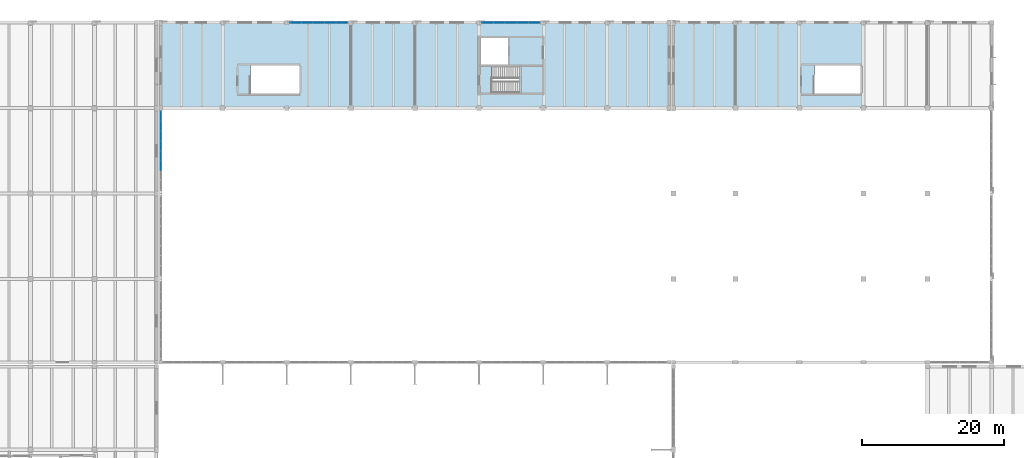
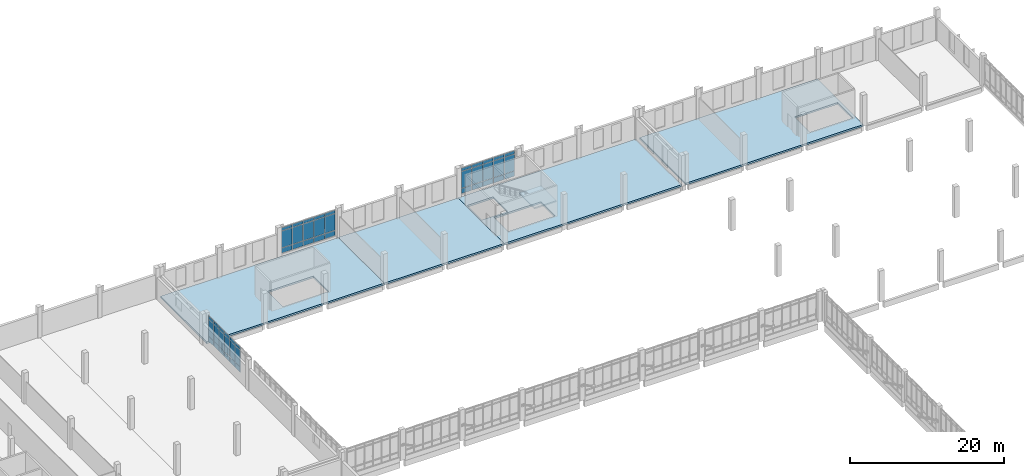
# One storey, part 69 of 110: 48 plates, 5 slabs, 4 elements without a shape of their own.
"""IFC4 building model written with IfcOpenShell, lengths in metres."""

import ifcopenshell
import ifcopenshell.guid

model = None  # the IFC model being written
_history = None  # IfcOwnerHistory: only IFC2X3 demands one
_inside = {}  # id of a spatial element -> (the spatial element, [elements in it])
_under = {}  # id of a project, library or spatial element -> (it, [spatial elements below it])
_declared = {}  # id of a project -> (the project, [libraries it declares])
_typed = {}  # id of a type object -> (the type object, [elements of that type])
_made_of = {}  # id of a material, layer set ... -> (it, [elements and type objects made of it])


def new_model(schema):
    """Start an empty IFC model of exactly this schema.

    Asked for "IFC4X3", IfcOpenShell would pick the latest addendum, in which some entities
    have other attributes; the version numbers below select the first issue.
    IFC2X3 requires an IfcOwnerHistory on every rooted entity: one is made here for all.
    """
    global model, _history
    if schema == "IFC4X3":
        model = ifcopenshell.file(schema_version=(4, 3, 0, 0))
    else:
        model = ifcopenshell.file(schema=schema)
    _inside.clear()
    _under.clear()
    _declared.clear()
    _typed.clear()
    _made_of.clear()
    _history = None
    if model.schema == "IFC2X3":
        org = make("IfcOrganization", Name="unknown")
        user = make(
            "IfcPersonAndOrganization",
            ThePerson=make("IfcPerson", FamilyName="unknown"),
            TheOrganization=org,
        )
        app = make(
            "IfcApplication",
            ApplicationDeveloper=org,
            Version="unknown",
            ApplicationFullName="unknown",
            ApplicationIdentifier="unknown",
        )
        _history = make(
            "IfcOwnerHistory",
            OwningUser=user,
            OwningApplication=app,
            ChangeAction="ADDED",
            CreationDate=0,
        )
    return model


def make(cls, **values):
    """One entity of the class cls with the attributes given. An attribute that is None is left unset."""
    return model.create_entity(
        cls, **{name: value for name, value in values.items() if value is not None}
    )


def rooted(cls, **values):
    """An entity with a GlobalId (a new one), such as an element, a storey or a relation."""
    return make(cls, GlobalId=ifcopenshell.guid.new(), OwnerHistory=_history, **values)


def si_unit(unit_type, name, prefix=None):
    """IfcSIUnit, for example si_unit("LENGTHUNIT", "METRE", prefix="MILLI")."""
    return make("IfcSIUnit", UnitType=unit_type, Prefix=prefix, Name=name)


def assignment(units):
    """IfcUnitAssignment: the units of a project."""
    return None if units is None else make("IfcUnitAssignment", Units=units)


def point(xyz):
    """IfcCartesianPoint."""
    return None if xyz is None else make("IfcCartesianPoint", Coordinates=xyz)


def direction(xyz):
    """IfcDirection."""
    return None if xyz is None else make("IfcDirection", DirectionRatios=xyz)


def frame(location, z_axis=None, x_axis=None):
    """IfcAxis2Placement3D, a coordinate frame: its origin and axes. An axis left out is left unset."""
    return make(
        "IfcAxis2Placement3D",
        Location=point(location),
        Axis=direction(z_axis),
        RefDirection=direction(x_axis),
    )


def frame_2d(location, x_axis=None):
    """IfcAxis2Placement2D, a coordinate frame in the plane: its origin and x axis."""
    return make(
        "IfcAxis2Placement2D", Location=point(location), RefDirection=direction(x_axis)
    )


def origin():
    """The frame at (0, 0, 0) with its axes left unset."""
    return frame((0.0, 0.0, 0.0))


def origin_2d():
    """The frame at (0, 0) in the plane with its x axis left unset."""
    return frame_2d((0.0, 0.0))


def place(relative_to, where):
    """IfcLocalPlacement: puts the frame where relative to a parent placement (None: the world)."""
    return make(
        "IfcLocalPlacement", PlacementRelTo=relative_to, RelativePlacement=where
    )


def context(
    kind, dimensions, precision=None, world=None, true_north=None, identifier=None
):
    """IfcGeometricRepresentationContext, for example the 3D "Model" context."""
    return make(
        "IfcGeometricRepresentationContext",
        ContextIdentifier=identifier,
        ContextType=kind,
        CoordinateSpaceDimension=dimensions,
        Precision=precision,
        WorldCoordinateSystem=world,
        TrueNorth=true_north,
    )


def subcontext(parent, identifier, kind, view, scale=None):
    """IfcGeometricRepresentationSubContext, for example "Body" below "Model"."""
    return make(
        "IfcGeometricRepresentationSubContext",
        ContextIdentifier=identifier,
        ContextType=kind,
        ParentContext=parent,
        TargetScale=scale,
        TargetView=view,
    )


def project(units=None, contexts=None):
    """IfcProject with its units and contexts."""
    return rooted(
        "IfcProject",
        Name="project",
        RepresentationContexts=contexts,
        UnitsInContext=assignment(units),
    )


def spatial(cls, under=None, at=None, **own):
    """A site, building, storey or space (cls), placed at a placement, below another one or the project."""
    s = rooted(cls, ObjectPlacement=at, **own)
    if under is not None:
        _under.setdefault(under.id(), (under, []))[1].append(s)
    return s


def polyline(points):
    """IfcPolyline through the points."""
    return make("IfcPolyline", Points=[point(p) for p in points])


def profile(cls, at=None, kind="AREA", **sizes):
    """A parametric profile (cls). Its sizes go by their IFC names, for example OverallWidth=200.0."""
    return make(cls, ProfileType=kind, Position=at, **sizes)


def rectangle(**sizes):
    """IfcRectangleProfileDef."""
    return profile("IfcRectangleProfileDef", **sizes)


def outline(outer, holes=None, kind="AREA"):
    """IfcArbitraryClosedProfileDef: a profile drawn as a closed curve; with holes, ...WithVoids."""
    if holes is None:
        return make("IfcArbitraryClosedProfileDef", ProfileType=kind, OuterCurve=outer)
    return make(
        "IfcArbitraryProfileDefWithVoids",
        ProfileType=kind,
        OuterCurve=outer,
        InnerCurves=holes,
    )


def extrude(swept, where, along, depth):
    """IfcExtrudedAreaSolid: the profile swept, set in the frame where, extruded along a direction by depth."""
    return make(
        "IfcExtrudedAreaSolid",
        SweptArea=swept,
        Position=where,
        ExtrudedDirection=direction(along),
        Depth=depth,
    )


def shape(context_of_items, identifier, shape_type, items):
    """IfcShapeRepresentation: the items that make up one representation, for example the "Body"."""
    return make(
        "IfcShapeRepresentation",
        ContextOfItems=context_of_items,
        RepresentationIdentifier=identifier,
        RepresentationType=shape_type,
        Items=items,
    )


def material(Name=None, Category=None):
    """IfcMaterial."""
    return make("IfcMaterial", Name=Name, Category=Category)


def layer(
    of_material, thickness, ventilated=None, Name=None, Category=None, Priority=None
):
    """IfcMaterialLayer: one layer of a wall or slab, of a material (None: an air gap)."""
    return make(
        "IfcMaterialLayer",
        Material=of_material,
        LayerThickness=thickness,
        IsVentilated=ventilated,
        Name=Name,
        Category=Category,
        Priority=Priority,
    )


def layer_set(layers, Name=None):
    """IfcMaterialLayerSet."""
    return make("IfcMaterialLayerSet", MaterialLayers=layers, LayerSetName=Name)


def made_of(thing, what):
    """Note that an element or type object is made of a material, layer set ...; save() writes the relation."""
    if what is not None:
        _made_of.setdefault(what.id(), (what, []))[1].append(thing)
    return thing


def type_object(cls, material=None, **own):
    """A type object (cls), such as IfcWallType, which elements share."""
    return made_of(rooted(cls, **own), material)


def element(
    cls,
    number,
    at=None,
    inside=None,
    cuts=None,
    type_object=None,
    material=None,
    context=None,
    identifier="Body",
    shape_type=None,
    held_by="IfcProductDefinitionShape",
    body=None,
    shapes=None,
    **own,
):
    """One element of the class cls, such as IfcWall. Its Tag is "e" and its number.

    at: its placement. inside: the storey or other place that contains it. cuts: it is an
    opening in that element (IfcRelVoidsElement). A single representation is given by context,
    identifier, shape_type and body (its items); several are given by shapes. held_by: the class
    of the entity that holds the representations. save() writes the other relations.
    """
    e = rooted(cls, Tag="e%d" % number, ObjectPlacement=at, **own)
    if body is not None:
        shapes = [shape(context, identifier, shape_type, body)]
    if shapes is not None:
        e.Representation = make(held_by, Representations=shapes)
    if inside is not None:
        _inside.setdefault(inside.id(), (inside, []))[1].append(e)
    if cuts is not None:
        rooted(
            "IfcRelVoidsElement", RelatingBuildingElement=cuts, RelatedOpeningElement=e
        )
    if type_object is not None:
        _typed.setdefault(type_object.id(), (type_object, []))[1].append(e)
    return made_of(e, material)


def aggregate(whole, parts):
    """IfcRelAggregates: a whole, such as a stair, and the parts it consists of."""
    return rooted("IfcRelAggregates", RelatingObject=whole, RelatedObjects=parts)


def save(model, path):
    """Write the relations noted so far, then the file.

    IfcRelAggregates (storeys below a building ...), IfcRelContainedInSpatialStructure (elements
    in a storey), IfcRelDefinesByType, IfcRelAssociatesMaterial and IfcRelDeclares: one each for
    every whole, place, type object, material and project.
    """
    for whole, parts in _under.values():
        aggregate(whole, parts)
    for where, things in _inside.values():
        rooted(
            "IfcRelContainedInSpatialStructure",
            RelatedElements=things,
            RelatingStructure=where,
        )
    for kind, things in _typed.values():
        rooted("IfcRelDefinesByType", RelatedObjects=things, RelatingType=kind)
    for what, things in _made_of.values():
        rooted("IfcRelAssociatesMaterial", RelatedObjects=things, RelatingMaterial=what)
    for by, libraries in _declared.values():
        rooted("IfcRelDeclares", RelatingContext=by, RelatedDefinitions=libraries)
    model.write(path)


model = new_model("IFC4")

# Units and contexts
model_context = context("Model", 3, precision=1e-05, world=origin(), true_north=direction((0.0, 1.0)))
body_context = subcontext(model_context, "Body", "Model", "MODEL_VIEW")
ifc_project = project(units=[si_unit("LENGTHUNIT", "METRE"), si_unit("AREAUNIT", "SQUARE_METRE"), si_unit("VOLUMEUNIT", "CUBIC_METRE"), si_unit("PLANEANGLEUNIT", "RADIAN"), si_unit("MASSUNIT", "GRAM", prefix="KILO")], contexts=[model_context])

# Site, building, storey
site_placement = place(None, origin())
site = spatial("IfcSite", under=ifc_project, at=site_placement, CompositionType="ELEMENT")
building_placement = place(site_placement, origin())
building = spatial("IfcBuilding", under=site, at=building_placement, Name="Zacnel Wholesale Market", CompositionType="ELEMENT")
storey_placement = place(building_placement, frame((0.0, 0.0, 6.300048828125)))
storey = spatial("IfcBuildingStorey", under=building, at=storey_placement, Name="L02", CompositionType="ELEMENT", Elevation=6.300048828125)

# Curtain wall, plates
ifc_material_1 = material(Name="Anodised aluminium", Category="aluminium")
ifc_layer_1 = layer(ifc_material_1, 0.159912109375)
ifc_layer_set_1 = layer_set([ifc_layer_1], Name="Anodised aluminium")
curtain_wall_type_1 = type_object("IfcCurtainWallType", Name="CW-COURT-4500", PredefinedType="NOTDEFINED", material=ifc_layer_set_1)
curtain_wall_1_placement = place(storey_placement, origin())
curtain_wall_1 = element("IfcCurtainWall", 1, at=curtain_wall_1_placement, inside=storey, type_object=curtain_wall_type_1, Name="Curtain wall ENV-R2-CW-L02-035", PredefinedType="NOTDEFINED")
ifc_material_2 = material(Name="Laminated hurricane-impact low-E insulated glass", Category="glass")
ifc_layer_2 = layer(ifc_material_2, 0.028076171875)
ifc_layer_set_2 = layer_set([ifc_layer_2], Name="Laminated hurricane-impact low-E insulated glass")
plate_type_1 = type_object("IfcPlateType", Name="CWP-PNL-01", PredefinedType="CURTAIN_PANEL", material=ifc_layer_set_2)
plate_1_placement = place(storey_placement, frame((91.260009765625, 144.0, 1.330078125), z_axis=(0.0, 0.0, 1.0), x_axis=(1.0, 0.0, 0.0)))
plate_1 = element("IfcPlate", 2, at=plate_1_placement, type_object=plate_type_1, Name="ENV-R2-CW-L02-035 panel 1-2", PredefinedType="CURTAIN_PANEL", context=body_context, shape_type="SweptSolid", body=[
    extrude(rectangle(XDim=1.550048828125, YDim=0.028076171875, at=origin_2d()), origin(), (0.0, 0.0, 1.0), 2.639892578125),
])
plate_2_placement = place(storey_placement, frame((92.8798828125, 144.0, 1.330078125), z_axis=(0.0, 0.0, 1.0), x_axis=(1.0, 0.0, 0.0)))
plate_2 = element("IfcPlate", 3, at=plate_2_placement, type_object=plate_type_1, Name="ENV-R2-CW-L02-035 panel 2-2", PredefinedType="CURTAIN_PANEL", context=body_context, shape_type="SweptSolid", body=[
    extrude(rectangle(XDim=1.550048828125, YDim=0.028076171875, at=origin_2d()), origin(), (0.0, 0.0, 1.0), 2.639892578125),
])
plate_3_placement = place(storey_placement, frame((94.5, 144.0, 1.330078125), z_axis=(0.0, 0.0, 1.0), x_axis=(1.0, 0.0, 0.0)))
plate_3 = element("IfcPlate", 4, at=plate_3_placement, type_object=plate_type_1, Name="ENV-R2-CW-L02-035 panel 3-2", PredefinedType="CURTAIN_PANEL", context=body_context, shape_type="SweptSolid", body=[
    extrude(rectangle(XDim=1.550048828125, YDim=0.028076171875, at=origin_2d()), origin(), (0.0, 0.0, 1.0), 2.639892578125),
])
plate_4_placement = place(storey_placement, frame((96.1201171875, 144.0, 1.330078125), z_axis=(0.0, 0.0, 1.0), x_axis=(1.0, 0.0, 0.0)))
plate_4 = element("IfcPlate", 5, at=plate_4_placement, type_object=plate_type_1, Name="ENV-R2-CW-L02-035 panel 4-2", PredefinedType="CURTAIN_PANEL", context=body_context, shape_type="SweptSolid", body=[
    extrude(rectangle(XDim=1.550048828125, YDim=0.028076171875, at=origin_2d()), origin(), (0.0, 0.0, 1.0), 2.639892578125),
])
plate_5_placement = place(storey_placement, frame((97.739990234375, 144.0, 1.330078125), z_axis=(0.0, 0.0, 1.0), x_axis=(1.0, 0.0, 0.0)))
plate_5 = element("IfcPlate", 6, at=plate_5_placement, type_object=plate_type_1, Name="ENV-R2-CW-L02-035 panel 5-2", PredefinedType="CURTAIN_PANEL", context=body_context, shape_type="SweptSolid", body=[
    extrude(rectangle(XDim=1.550048828125, YDim=0.028076171875, at=origin_2d()), origin(), (0.0, 0.0, 1.0), 2.639892578125),
])

curtain_wall_2_placement = place(storey_placement, origin())
curtain_wall_2 = element("IfcCurtainWall", 7, at=curtain_wall_2_placement, inside=storey, type_object=curtain_wall_type_1, Name="Curtain wall ENV-R2-CW-L02-036", PredefinedType="NOTDEFINED")
plate_6_placement = place(storey_placement, frame((118.260009765625, 144.0, 1.330078125), z_axis=(0.0, 0.0, 1.0), x_axis=(1.0, 0.0, 0.0)))
plate_6 = element("IfcPlate", 8, at=plate_6_placement, type_object=plate_type_1, Name="ENV-R2-CW-L02-036 panel 1-2", PredefinedType="CURTAIN_PANEL", context=body_context, shape_type="SweptSolid", body=[
    extrude(rectangle(XDim=1.550048828125, YDim=0.028076171875, at=origin_2d()), origin(), (0.0, 0.0, 1.0), 2.639892578125),
])
plate_7_placement = place(storey_placement, frame((119.8798828125, 144.0, 1.330078125), z_axis=(0.0, 0.0, 1.0), x_axis=(1.0, 0.0, 0.0)))
plate_7 = element("IfcPlate", 9, at=plate_7_placement, type_object=plate_type_1, Name="ENV-R2-CW-L02-036 panel 2-2", PredefinedType="CURTAIN_PANEL", context=body_context, shape_type="SweptSolid", body=[
    extrude(rectangle(XDim=1.550048828125, YDim=0.028076171875, at=origin_2d()), origin(), (0.0, 0.0, 1.0), 2.639892578125),
])
plate_8_placement = place(storey_placement, frame((121.5, 144.0, 1.330078125), z_axis=(0.0, 0.0, 1.0), x_axis=(1.0, 0.0, 0.0)))
plate_8 = element("IfcPlate", 10, at=plate_8_placement, type_object=plate_type_1, Name="ENV-R2-CW-L02-036 panel 3-2", PredefinedType="CURTAIN_PANEL", context=body_context, shape_type="SweptSolid", body=[
    extrude(rectangle(XDim=1.550048828125, YDim=0.028076171875, at=origin_2d()), origin(), (0.0, 0.0, 1.0), 2.639892578125),
])
plate_9_placement = place(storey_placement, frame((123.1201171875, 144.0, 1.330078125), z_axis=(0.0, 0.0, 1.0), x_axis=(1.0, 0.0, 0.0)))
plate_9 = element("IfcPlate", 11, at=plate_9_placement, type_object=plate_type_1, Name="ENV-R2-CW-L02-036 panel 4-2", PredefinedType="CURTAIN_PANEL", context=body_context, shape_type="SweptSolid", body=[
    extrude(rectangle(XDim=1.550048828125, YDim=0.028076171875, at=origin_2d()), origin(), (0.0, 0.0, 1.0), 2.639892578125),
])
plate_10_placement = place(storey_placement, frame((124.739990234375, 144.0, 1.330078125), z_axis=(0.0, 0.0, 1.0), x_axis=(1.0, 0.0, 0.0)))
plate_10 = element("IfcPlate", 12, at=plate_10_placement, type_object=plate_type_1, Name="ENV-R2-CW-L02-036 panel 5-2", PredefinedType="CURTAIN_PANEL", context=body_context, shape_type="SweptSolid", body=[
    extrude(rectangle(XDim=1.550048828125, YDim=0.028076171875, at=origin_2d()), origin(), (0.0, 0.0, 1.0), 2.639892578125),
])

ifc_material_3 = material(Name="Anodised aluminium", Category="aluminium")
ifc_layer_3 = layer(ifc_material_3, 0.159912109375)
ifc_layer_set_3 = layer_set([ifc_layer_3], Name="Anodised aluminium")
curtain_wall_type_2 = type_object("IfcCurtainWallType", Name="CW-NAVE-4200", PredefinedType="NOTDEFINED", material=ifc_layer_set_3)
curtain_wall_3_placement = place(storey_placement, origin())
curtain_wall_3 = element("IfcCurtainWall", 13, at=curtain_wall_3_placement, inside=storey, type_object=curtain_wall_type_2, Name="Curtain wall ENV-R2-CW-L02-031", PredefinedType="NOTDEFINED")
ifc_material_4 = material(Name="Laminated hurricane-impact low-E insulated glass", Category="glass")
ifc_layer_4 = layer(ifc_material_4, 0.031982421875)
ifc_layer_set_4 = layer_set([ifc_layer_4], Name="Laminated hurricane-impact low-E insulated glass")
plate_type_2 = type_object("IfcPlateType", Name="CWP-PNL-02", PredefinedType="CURTAIN_PANEL", material=ifc_layer_set_4)
plate_11_placement = place(storey_placement, frame((72.300048828125, 123.90478515625, 1.330078125), z_axis=(0.0, 0.0, 1.0), x_axis=(0.0, 1.0, 0.0)))
plate_11 = element("IfcPlate", 14, at=plate_11_placement, type_object=plate_type_2, Name="ENV-R2-CW-L02-031 panel 3-2", PredefinedType="CURTAIN_PANEL", context=body_context, shape_type="SweptSolid", body=[
    extrude(rectangle(XDim=1.31201171875, YDim=0.031982421875, at=origin_2d()), origin(), (0.0, 0.0, 1.0), 2.639892578125),
])
plate_12_placement = place(storey_placement, frame((72.300048828125, 125.28662109375, 1.330078125), z_axis=(0.0, 0.0, 1.0), x_axis=(0.0, 1.0, 0.0)))
plate_12 = element("IfcPlate", 15, at=plate_12_placement, type_object=plate_type_2, Name="ENV-R2-CW-L02-031 panel 4-2", PredefinedType="CURTAIN_PANEL", context=body_context, shape_type="SweptSolid", body=[
    extrude(rectangle(XDim=1.31201171875, YDim=0.031982421875, at=origin_2d()), origin(), (0.0, 0.0, 1.0), 2.639892578125),
])
plate_13_placement = place(storey_placement, frame((72.300048828125, 126.66845703125, 1.330078125), z_axis=(0.0, 0.0, 1.0), x_axis=(0.0, 1.0, 0.0)))
plate_13 = element("IfcPlate", 16, at=plate_13_placement, type_object=plate_type_2, Name="ENV-R2-CW-L02-031 panel 5-2", PredefinedType="CURTAIN_PANEL", context=body_context, shape_type="SweptSolid", body=[
    extrude(rectangle(XDim=1.31201171875, YDim=0.031982421875, at=origin_2d()), origin(), (0.0, 0.0, 1.0), 2.639892578125),
])
plate_14_placement = place(storey_placement, frame((72.300048828125, 128.05029296875, 1.330078125), z_axis=(0.0, 0.0, 1.0), x_axis=(0.0, 1.0, 0.0)))
plate_14 = element("IfcPlate", 17, at=plate_14_placement, type_object=plate_type_2, Name="ENV-R2-CW-L02-031 panel 6-2", PredefinedType="CURTAIN_PANEL", context=body_context, shape_type="SweptSolid", body=[
    extrude(rectangle(XDim=1.31201171875, YDim=0.031982421875, at=origin_2d()), origin(), (0.0, 0.0, 1.0), 2.639892578125),
])
plate_15_placement = place(storey_placement, frame((72.300048828125, 129.43212890625, 1.330078125), z_axis=(0.0, 0.0, 1.0), x_axis=(0.0, 1.0, 0.0)))
plate_15 = element("IfcPlate", 18, at=plate_15_placement, type_object=plate_type_2, Name="ENV-R2-CW-L02-031 panel 7-2", PredefinedType="CURTAIN_PANEL", context=body_context, shape_type="SweptSolid", body=[
    extrude(rectangle(XDim=1.31201171875, YDim=0.031982421875, at=origin_2d()), origin(), (0.0, 0.0, 1.0), 2.639892578125),
])
plate_16_placement = place(storey_placement, frame((72.300048828125, 130.814208984375, 1.330078125), z_axis=(0.0, 0.0, 1.0), x_axis=(0.0, 1.0, 0.0)))
plate_16 = element("IfcPlate", 19, at=plate_16_placement, type_object=plate_type_2, Name="ENV-R2-CW-L02-031 panel 8-2", PredefinedType="CURTAIN_PANEL", context=body_context, shape_type="SweptSolid", body=[
    extrude(rectangle(XDim=1.31201171875, YDim=0.031982421875, at=origin_2d()), origin(), (0.0, 0.0, 1.0), 2.639892578125),
])
ifc_material_5 = material(Name="Anodised aluminium", Category="aluminium")
ifc_layer_5 = layer(ifc_material_5, 0.0400390625)
ifc_layer_set_5 = layer_set([ifc_layer_5], Name="Anodised aluminium")
plate_type_3 = type_object("IfcPlateType", Name="CWP-PNL-05", PredefinedType="CURTAIN_PANEL", material=ifc_layer_set_5)
plate_17_placement = place(storey_placement, frame((72.300048828125, 123.90478515625, 0.47998046875), z_axis=(0.0, 0.0, 1.0), x_axis=(0.0, 1.0, 0.0)))
plate_17 = element("IfcPlate", 20, at=plate_17_placement, type_object=plate_type_3, Name="ENV-R2-CW-L02-031 panel 3-1", PredefinedType="CURTAIN_PANEL", context=body_context, shape_type="SweptSolid", body=[
    extrude(rectangle(XDim=1.31201171875, YDim=0.0400390625, at=origin_2d()), origin(), (0.0, 0.0, 1.0), 0.7900390625),
])
plate_18_placement = place(storey_placement, frame((72.300048828125, 123.90478515625, 4.02978515625), z_axis=(0.0, 0.0, 1.0), x_axis=(0.0, 1.0, 0.0)))
plate_18 = element("IfcPlate", 21, at=plate_18_placement, type_object=plate_type_3, Name="ENV-R2-CW-L02-031 panel 3-3", PredefinedType="CURTAIN_PANEL", context=body_context, shape_type="SweptSolid", body=[
    extrude(rectangle(XDim=1.31201171875, YDim=0.0400390625, at=origin_2d()), origin(), (0.0, 0.0, 1.0), 0.489990234375),
])
plate_19_placement = place(storey_placement, frame((72.300048828125, 126.66845703125, 0.47998046875), z_axis=(0.0, 0.0, 1.0), x_axis=(0.0, 1.0, 0.0)))
plate_19 = element("IfcPlate", 22, at=plate_19_placement, type_object=plate_type_3, Name="ENV-R2-CW-L02-031 panel 5-1", PredefinedType="CURTAIN_PANEL", context=body_context, shape_type="SweptSolid", body=[
    extrude(rectangle(XDim=1.31201171875, YDim=0.0400390625, at=origin_2d()), origin(), (0.0, 0.0, 1.0), 0.7900390625),
])
plate_20_placement = place(storey_placement, frame((72.300048828125, 126.66845703125, 4.02978515625), z_axis=(0.0, 0.0, 1.0), x_axis=(0.0, 1.0, 0.0)))
plate_20 = element("IfcPlate", 23, at=plate_20_placement, type_object=plate_type_3, Name="ENV-R2-CW-L02-031 panel 5-3", PredefinedType="CURTAIN_PANEL", context=body_context, shape_type="SweptSolid", body=[
    extrude(rectangle(XDim=1.31201171875, YDim=0.0400390625, at=origin_2d()), origin(), (0.0, 0.0, 1.0), 0.489990234375),
])
plate_21_placement = place(storey_placement, frame((72.300048828125, 129.43212890625, 0.47998046875), z_axis=(0.0, 0.0, 1.0), x_axis=(0.0, 1.0, 0.0)))
plate_21 = element("IfcPlate", 24, at=plate_21_placement, type_object=plate_type_3, Name="ENV-R2-CW-L02-031 panel 7-1", PredefinedType="CURTAIN_PANEL", context=body_context, shape_type="SweptSolid", body=[
    extrude(rectangle(XDim=1.31201171875, YDim=0.0400390625, at=origin_2d()), origin(), (0.0, 0.0, 1.0), 0.7900390625),
])
plate_22_placement = place(storey_placement, frame((72.300048828125, 129.43212890625, 4.02978515625), z_axis=(0.0, 0.0, 1.0), x_axis=(0.0, 1.0, 0.0)))
plate_22 = element("IfcPlate", 25, at=plate_22_placement, type_object=plate_type_3, Name="ENV-R2-CW-L02-031 panel 7-3", PredefinedType="CURTAIN_PANEL", context=body_context, shape_type="SweptSolid", body=[
    extrude(rectangle(XDim=1.31201171875, YDim=0.0400390625, at=origin_2d()), origin(), (0.0, 0.0, 1.0), 0.489990234375),
])

# Plate
plate_23_placement = place(storey_placement, frame((91.260009765625, 144.0, 0.47998046875), z_axis=(0.0, 0.0, 1.0), x_axis=(1.0, 0.0, 0.0)))
plate_23 = element("IfcPlate", 26, at=plate_23_placement, type_object=plate_type_3, Name="ENV-R2-CW-L02-035 panel 1-1", PredefinedType="CURTAIN_PANEL", context=body_context, shape_type="SweptSolid", body=[
    extrude(rectangle(XDim=1.550048828125, YDim=0.0400390625, at=origin_2d()), origin(), (0.0, 0.0, 1.0), 0.7900390625),
])

plate_24_placement = place(storey_placement, frame((91.260009765625, 144.0, 4.02978515625), z_axis=(0.0, 0.0, 1.0), x_axis=(1.0, 0.0, 0.0)))
plate_24 = element("IfcPlate", 27, at=plate_24_placement, type_object=plate_type_3, Name="ENV-R2-CW-L02-035 panel 1-3", PredefinedType="CURTAIN_PANEL", context=body_context, shape_type="SweptSolid", body=[
    extrude(rectangle(XDim=1.550048828125, YDim=0.0400390625, at=origin_2d()), origin(), (0.0, 0.0, 1.0), 0.489990234375),
])

plate_25_placement = place(storey_placement, frame((94.5, 144.0, 0.47998046875), z_axis=(0.0, 0.0, 1.0), x_axis=(1.0, 0.0, 0.0)))
plate_25 = element("IfcPlate", 28, at=plate_25_placement, type_object=plate_type_3, Name="ENV-R2-CW-L02-035 panel 3-1", PredefinedType="CURTAIN_PANEL", context=body_context, shape_type="SweptSolid", body=[
    extrude(rectangle(XDim=1.550048828125, YDim=0.0400390625, at=origin_2d()), origin(), (0.0, 0.0, 1.0), 0.7900390625),
])

plate_26_placement = place(storey_placement, frame((94.5, 144.0, 4.02978515625), z_axis=(0.0, 0.0, 1.0), x_axis=(1.0, 0.0, 0.0)))
plate_26 = element("IfcPlate", 29, at=plate_26_placement, type_object=plate_type_3, Name="ENV-R2-CW-L02-035 panel 3-3", PredefinedType="CURTAIN_PANEL", context=body_context, shape_type="SweptSolid", body=[
    extrude(rectangle(XDim=1.550048828125, YDim=0.0400390625, at=origin_2d()), origin(), (0.0, 0.0, 1.0), 0.489990234375),
])

plate_27_placement = place(storey_placement, frame((97.739990234375, 144.0, 0.47998046875), z_axis=(0.0, 0.0, 1.0), x_axis=(1.0, 0.0, 0.0)))
plate_27 = element("IfcPlate", 30, at=plate_27_placement, type_object=plate_type_3, Name="ENV-R2-CW-L02-035 panel 5-1", PredefinedType="CURTAIN_PANEL", context=body_context, shape_type="SweptSolid", body=[
    extrude(rectangle(XDim=1.550048828125, YDim=0.0400390625, at=origin_2d()), origin(), (0.0, 0.0, 1.0), 0.7900390625),
])

plate_28_placement = place(storey_placement, frame((97.739990234375, 144.0, 4.02978515625), z_axis=(0.0, 0.0, 1.0), x_axis=(1.0, 0.0, 0.0)))
plate_28 = element("IfcPlate", 31, at=plate_28_placement, type_object=plate_type_3, Name="ENV-R2-CW-L02-035 panel 5-3", PredefinedType="CURTAIN_PANEL", context=body_context, shape_type="SweptSolid", body=[
    extrude(rectangle(XDim=1.550048828125, YDim=0.0400390625, at=origin_2d()), origin(), (0.0, 0.0, 1.0), 0.489990234375),
])

plate_29_placement = place(storey_placement, frame((118.260009765625, 144.0, 0.47998046875), z_axis=(0.0, 0.0, 1.0), x_axis=(1.0, 0.0, 0.0)))
plate_29 = element("IfcPlate", 32, at=plate_29_placement, type_object=plate_type_3, Name="ENV-R2-CW-L02-036 panel 1-1", PredefinedType="CURTAIN_PANEL", context=body_context, shape_type="SweptSolid", body=[
    extrude(rectangle(XDim=1.550048828125, YDim=0.0400390625, at=origin_2d()), origin(), (0.0, 0.0, 1.0), 0.7900390625),
])

plate_30_placement = place(storey_placement, frame((118.260009765625, 144.0, 4.02978515625), z_axis=(0.0, 0.0, 1.0), x_axis=(1.0, 0.0, 0.0)))
plate_30 = element("IfcPlate", 33, at=plate_30_placement, type_object=plate_type_3, Name="ENV-R2-CW-L02-036 panel 1-3", PredefinedType="CURTAIN_PANEL", context=body_context, shape_type="SweptSolid", body=[
    extrude(rectangle(XDim=1.550048828125, YDim=0.0400390625, at=origin_2d()), origin(), (0.0, 0.0, 1.0), 0.489990234375),
])

plate_31_placement = place(storey_placement, frame((121.5, 144.0, 0.47998046875), z_axis=(0.0, 0.0, 1.0), x_axis=(1.0, 0.0, 0.0)))
plate_31 = element("IfcPlate", 34, at=plate_31_placement, type_object=plate_type_3, Name="ENV-R2-CW-L02-036 panel 3-1", PredefinedType="CURTAIN_PANEL", context=body_context, shape_type="SweptSolid", body=[
    extrude(rectangle(XDim=1.550048828125, YDim=0.0400390625, at=origin_2d()), origin(), (0.0, 0.0, 1.0), 0.7900390625),
])

plate_32_placement = place(storey_placement, frame((121.5, 144.0, 4.02978515625), z_axis=(0.0, 0.0, 1.0), x_axis=(1.0, 0.0, 0.0)))
plate_32 = element("IfcPlate", 35, at=plate_32_placement, type_object=plate_type_3, Name="ENV-R2-CW-L02-036 panel 3-3", PredefinedType="CURTAIN_PANEL", context=body_context, shape_type="SweptSolid", body=[
    extrude(rectangle(XDim=1.550048828125, YDim=0.0400390625, at=origin_2d()), origin(), (0.0, 0.0, 1.0), 0.489990234375),
])

plate_33_placement = place(storey_placement, frame((124.739990234375, 144.0, 0.47998046875), z_axis=(0.0, 0.0, 1.0), x_axis=(1.0, 0.0, 0.0)))
plate_33 = element("IfcPlate", 36, at=plate_33_placement, type_object=plate_type_3, Name="ENV-R2-CW-L02-036 panel 5-1", PredefinedType="CURTAIN_PANEL", context=body_context, shape_type="SweptSolid", body=[
    extrude(rectangle(XDim=1.550048828125, YDim=0.0400390625, at=origin_2d()), origin(), (0.0, 0.0, 1.0), 0.7900390625),
])

plate_34_placement = place(storey_placement, frame((124.739990234375, 144.0, 4.02978515625), z_axis=(0.0, 0.0, 1.0), x_axis=(1.0, 0.0, 0.0)))
plate_34 = element("IfcPlate", 37, at=plate_34_placement, type_object=plate_type_3, Name="ENV-R2-CW-L02-036 panel 5-3", PredefinedType="CURTAIN_PANEL", context=body_context, shape_type="SweptSolid", body=[
    extrude(rectangle(XDim=1.550048828125, YDim=0.0400390625, at=origin_2d()), origin(), (0.0, 0.0, 1.0), 0.489990234375),
])

ifc_material_6 = material(Name="Honed Yucatan Maya cream limestone", Category="masonry")
ifc_layer_6 = layer(ifc_material_6, 0.044921875)
ifc_layer_set_6 = layer_set([ifc_layer_6], Name="Honed Yucatan Maya cream limestone")
plate_type_4 = type_object("IfcPlateType", Name="CWP-PNL-06", PredefinedType="CURTAIN_PANEL", material=ifc_layer_set_6)
plate_35_placement = place(storey_placement, frame((72.300048828125, 125.28662109375, 0.47998046875), z_axis=(0.0, 0.0, 1.0), x_axis=(0.0, 1.0, 0.0)))
plate_35 = element("IfcPlate", 38, at=plate_35_placement, type_object=plate_type_4, Name="ENV-R2-CW-L02-031 panel 4-1", PredefinedType="CURTAIN_PANEL", context=body_context, shape_type="SweptSolid", body=[
    extrude(rectangle(XDim=1.31201171875, YDim=0.044921875, at=origin_2d()), origin(), (0.0, 0.0, 1.0), 0.7900390625),
])

plate_36_placement = place(storey_placement, frame((72.300048828125, 125.28662109375, 4.02978515625), z_axis=(0.0, 0.0, 1.0), x_axis=(0.0, 1.0, 0.0)))
plate_36 = element("IfcPlate", 39, at=plate_36_placement, type_object=plate_type_4, Name="ENV-R2-CW-L02-031 panel 4-3", PredefinedType="CURTAIN_PANEL", context=body_context, shape_type="SweptSolid", body=[
    extrude(rectangle(XDim=1.31201171875, YDim=0.044921875, at=origin_2d()), origin(), (0.0, 0.0, 1.0), 0.489990234375),
])

plate_37_placement = place(storey_placement, frame((72.300048828125, 128.05029296875, 0.47998046875), z_axis=(0.0, 0.0, 1.0), x_axis=(0.0, 1.0, 0.0)))
plate_37 = element("IfcPlate", 40, at=plate_37_placement, type_object=plate_type_4, Name="ENV-R2-CW-L02-031 panel 6-1", PredefinedType="CURTAIN_PANEL", context=body_context, shape_type="SweptSolid", body=[
    extrude(rectangle(XDim=1.31201171875, YDim=0.044921875, at=origin_2d()), origin(), (0.0, 0.0, 1.0), 0.7900390625),
])

plate_38_placement = place(storey_placement, frame((72.300048828125, 128.05029296875, 4.02978515625), z_axis=(0.0, 0.0, 1.0), x_axis=(0.0, 1.0, 0.0)))
plate_38 = element("IfcPlate", 41, at=plate_38_placement, type_object=plate_type_4, Name="ENV-R2-CW-L02-031 panel 6-3", PredefinedType="CURTAIN_PANEL", context=body_context, shape_type="SweptSolid", body=[
    extrude(rectangle(XDim=1.31201171875, YDim=0.044921875, at=origin_2d()), origin(), (0.0, 0.0, 1.0), 0.489990234375),
])

plate_39_placement = place(storey_placement, frame((72.300048828125, 130.814208984375, 0.47998046875), z_axis=(0.0, 0.0, 1.0), x_axis=(0.0, 1.0, 0.0)))
plate_39 = element("IfcPlate", 42, at=plate_39_placement, type_object=plate_type_4, Name="ENV-R2-CW-L02-031 panel 8-1", PredefinedType="CURTAIN_PANEL", context=body_context, shape_type="SweptSolid", body=[
    extrude(rectangle(XDim=1.31201171875, YDim=0.044921875, at=origin_2d()), origin(), (0.0, 0.0, 1.0), 0.7900390625),
])

plate_40_placement = place(storey_placement, frame((72.300048828125, 130.814208984375, 4.02978515625), z_axis=(0.0, 0.0, 1.0), x_axis=(0.0, 1.0, 0.0)))
plate_40 = element("IfcPlate", 43, at=plate_40_placement, type_object=plate_type_4, Name="ENV-R2-CW-L02-031 panel 8-3", PredefinedType="CURTAIN_PANEL", context=body_context, shape_type="SweptSolid", body=[
    extrude(rectangle(XDim=1.31201171875, YDim=0.044921875, at=origin_2d()), origin(), (0.0, 0.0, 1.0), 0.489990234375),
])

aggregate(curtain_wall_3, [plate_17, plate_11, plate_18, plate_35, plate_12, plate_36, plate_19, plate_13, plate_20, plate_37, plate_14, plate_38, plate_21, plate_15, plate_22, plate_39, plate_16, plate_40])

plate_41_placement = place(storey_placement, frame((92.8798828125, 144.0, 0.47998046875), z_axis=(0.0, 0.0, 1.0), x_axis=(1.0, 0.0, 0.0)))
plate_41 = element("IfcPlate", 44, at=plate_41_placement, type_object=plate_type_4, Name="ENV-R2-CW-L02-035 panel 2-1", PredefinedType="CURTAIN_PANEL", context=body_context, shape_type="SweptSolid", body=[
    extrude(rectangle(XDim=1.550048828125, YDim=0.044921875, at=origin_2d()), origin(), (0.0, 0.0, 1.0), 0.7900390625),
])

plate_42_placement = place(storey_placement, frame((92.8798828125, 144.0, 4.02978515625), z_axis=(0.0, 0.0, 1.0), x_axis=(1.0, 0.0, 0.0)))
plate_42 = element("IfcPlate", 45, at=plate_42_placement, type_object=plate_type_4, Name="ENV-R2-CW-L02-035 panel 2-3", PredefinedType="CURTAIN_PANEL", context=body_context, shape_type="SweptSolid", body=[
    extrude(rectangle(XDim=1.550048828125, YDim=0.044921875, at=origin_2d()), origin(), (0.0, 0.0, 1.0), 0.489990234375),
])

plate_43_placement = place(storey_placement, frame((96.1201171875, 144.0, 0.47998046875), z_axis=(0.0, 0.0, 1.0), x_axis=(1.0, 0.0, 0.0)))
plate_43 = element("IfcPlate", 46, at=plate_43_placement, type_object=plate_type_4, Name="ENV-R2-CW-L02-035 panel 4-1", PredefinedType="CURTAIN_PANEL", context=body_context, shape_type="SweptSolid", body=[
    extrude(rectangle(XDim=1.550048828125, YDim=0.044921875, at=origin_2d()), origin(), (0.0, 0.0, 1.0), 0.7900390625),
])

plate_44_placement = place(storey_placement, frame((96.1201171875, 144.0, 4.02978515625), z_axis=(0.0, 0.0, 1.0), x_axis=(1.0, 0.0, 0.0)))
plate_44 = element("IfcPlate", 47, at=plate_44_placement, type_object=plate_type_4, Name="ENV-R2-CW-L02-035 panel 4-3", PredefinedType="CURTAIN_PANEL", context=body_context, shape_type="SweptSolid", body=[
    extrude(rectangle(XDim=1.550048828125, YDim=0.044921875, at=origin_2d()), origin(), (0.0, 0.0, 1.0), 0.489990234375),
])

aggregate(curtain_wall_1, [plate_23, plate_1, plate_24, plate_41, plate_2, plate_42, plate_25, plate_3, plate_26, plate_43, plate_4, plate_44, plate_27, plate_5, plate_28])

plate_45_placement = place(storey_placement, frame((119.8798828125, 144.0, 0.47998046875), z_axis=(0.0, 0.0, 1.0), x_axis=(1.0, 0.0, 0.0)))
plate_45 = element("IfcPlate", 48, at=plate_45_placement, type_object=plate_type_4, Name="ENV-R2-CW-L02-036 panel 2-1", PredefinedType="CURTAIN_PANEL", context=body_context, shape_type="SweptSolid", body=[
    extrude(rectangle(XDim=1.550048828125, YDim=0.044921875, at=origin_2d()), origin(), (0.0, 0.0, 1.0), 0.7900390625),
])

plate_46_placement = place(storey_placement, frame((119.8798828125, 144.0, 4.02978515625), z_axis=(0.0, 0.0, 1.0), x_axis=(1.0, 0.0, 0.0)))
plate_46 = element("IfcPlate", 49, at=plate_46_placement, type_object=plate_type_4, Name="ENV-R2-CW-L02-036 panel 2-3", PredefinedType="CURTAIN_PANEL", context=body_context, shape_type="SweptSolid", body=[
    extrude(rectangle(XDim=1.550048828125, YDim=0.044921875, at=origin_2d()), origin(), (0.0, 0.0, 1.0), 0.489990234375),
])

plate_47_placement = place(storey_placement, frame((123.1201171875, 144.0, 0.47998046875), z_axis=(0.0, 0.0, 1.0), x_axis=(1.0, 0.0, 0.0)))
plate_47 = element("IfcPlate", 50, at=plate_47_placement, type_object=plate_type_4, Name="ENV-R2-CW-L02-036 panel 4-1", PredefinedType="CURTAIN_PANEL", context=body_context, shape_type="SweptSolid", body=[
    extrude(rectangle(XDim=1.550048828125, YDim=0.044921875, at=origin_2d()), origin(), (0.0, 0.0, 1.0), 0.7900390625),
])

plate_48_placement = place(storey_placement, frame((123.1201171875, 144.0, 4.02978515625), z_axis=(0.0, 0.0, 1.0), x_axis=(1.0, 0.0, 0.0)))
plate_48 = element("IfcPlate", 51, at=plate_48_placement, type_object=plate_type_4, Name="ENV-R2-CW-L02-036 panel 4-3", PredefinedType="CURTAIN_PANEL", context=body_context, shape_type="SweptSolid", body=[
    extrude(rectangle(XDim=1.550048828125, YDim=0.044921875, at=origin_2d()), origin(), (0.0, 0.0, 1.0), 0.489990234375),
])

aggregate(curtain_wall_2, [plate_29, plate_6, plate_30, plate_45, plate_7, plate_46, plate_31, plate_8, plate_32, plate_47, plate_9, plate_48, plate_33, plate_10, plate_34])

# Slabs
ifc_material_7 = material(Name="Precast concrete C45/55", Category="concrete")
ifc_layer_7 = layer(ifc_material_7, 0.280029296875)
ifc_layer_set_7 = layer_set([ifc_layer_7], Name="Precast concrete C45/55")
slab_type_1 = type_object("IfcSlabType", Name="SLB-FLR-280", PredefinedType="FLOOR", material=ifc_layer_set_7)
slab_1_placement = place(storey_placement, frame((0.0, 0.0, -0.280029296875)))
element("IfcSlab", 52, at=slab_1_placement, inside=storey, type_object=slab_type_1, Name="Structural slab SLB-L02-V1N-W-P1", PredefinedType="FLOOR", context=body_context, shape_type="SweptSolid", body=[
    extrude(outline(polyline([(99.0, 144.0), (99.0, 132.0), (72.300048828125, 132.0), (72.300048828125, 144.0), (99.0, 144.0)]), holes=[polyline([(84.919921875, 134.0), (91.800048828125, 134.0), (91.800048828125, 138.0), (84.919921875, 138.0), (84.919921875, 134.0)])]), origin(), (0.0, 0.0, 1.0), 0.280029296875),
])
slab_2_placement = place(storey_placement, frame((0.0, 0.0, -0.280029296875)))
element("IfcSlab", 53, at=slab_2_placement, inside=storey, type_object=slab_type_1, Name="Structural slab SLB-L02-V1N-W-P2", PredefinedType="FLOOR", context=body_context, shape_type="SweptSolid", body=[
    extrude(outline(polyline([(117.0, 144.0), (117.0, 132.0), (99.0, 132.0), (99.0, 144.0), (117.0, 144.0)])), origin(), (0.0, 0.0, 1.0), 0.280029296875),
])
slab_3_placement = place(storey_placement, frame((0.0, 0.0, -0.280029296875)))
element("IfcSlab", 54, at=slab_3_placement, inside=storey, type_object=slab_type_1, Name="Structural slab SLB-L02-V1N-W-P3", PredefinedType="FLOOR", context=body_context, shape_type="SweptSolid", body=[
    extrude(outline(polyline([(143.699951171875, 132.0), (117.0, 132.0), (117.0, 144.0), (143.699951171875, 144.0), (143.699951171875, 132.0)]), holes=[polyline([(118.85009765625, 134.1298828125), (125.8701171875, 134.1298828125), (125.8701171875, 137.820068359375), (118.85009765625, 137.820068359375), (118.85009765625, 134.1298828125)]), polyline([(117.139892578125, 138.080078125), (121.070068359375, 138.080078125), (121.070068359375, 141.8701171875), (117.139892578125, 141.8701171875), (117.139892578125, 138.080078125)])]), origin(), (0.0, 0.0, 1.0), 0.280029296875),
])
slab_4_placement = place(storey_placement, frame((0.0, 0.0, -0.280029296875)))
element("IfcSlab", 55, at=slab_4_placement, inside=storey, type_object=slab_type_1, Name="Structural slab SLB-L02-V1N-E-P1", PredefinedType="FLOOR", context=body_context, shape_type="SweptSolid", body=[
    extrude(outline(polyline([(171.0, 144.0), (171.0, 132.0), (144.300048828125, 132.0), (144.300048828125, 144.0), (171.0, 144.0)]), holes=[polyline([(164.1201171875, 134.0), (170.60009765625, 134.0), (170.60009765625, 138.0), (164.1201171875, 138.0), (164.1201171875, 134.0)])]), origin(), (0.0, 0.0, 1.0), 0.280029296875),
])

# Stair, slab
ifc_material_8 = material(Name="Precast concrete C45/55", Category="concrete")
stair_type = type_object("IfcStairType", Name="STR-DOGLEG-1550", PredefinedType="HALF_TURN_STAIR", material=ifc_material_8)
stair_placement = place(storey_placement, origin())
stair = element("IfcStair", 56, at=stair_placement, inside=storey, type_object=stair_type, Name="Stair ST-28 (L02)", PredefinedType="HALF_TURN_STAIR")
ifc_material_9 = material(Name="Precast concrete C45/55", Category="concrete")
ifc_layer_8 = layer(ifc_material_9, 0.199951171875)
ifc_layer_set_8 = layer_set([ifc_layer_8], Name="Precast concrete C45/55")
slab_type_2 = type_object("IfcSlabType", Name="SLB-LAND-200", PredefinedType="LANDING", material=ifc_layer_set_8)
slab_5_placement = place(storey_placement, frame((0.0, 0.0, 2.25)))
slab_5 = element("IfcSlab", 57, at=slab_5_placement, type_object=slab_type_2, Name="ST-28 landing 1", PredefinedType="LANDING", context=body_context, shape_type="SweptSolid", body=[
    extrude(outline(polyline([(122.7099609375, 133.989990234375), (126.010009765625, 133.989990234375), (126.010009765625, 137.9599609375), (122.7099609375, 137.9599609375), (122.7099609375, 133.989990234375)])), origin(), (0.0, 0.0, 1.0), 0.199951171875),
])
aggregate(stair, [slab_5])

save(model, "model.ifc")
